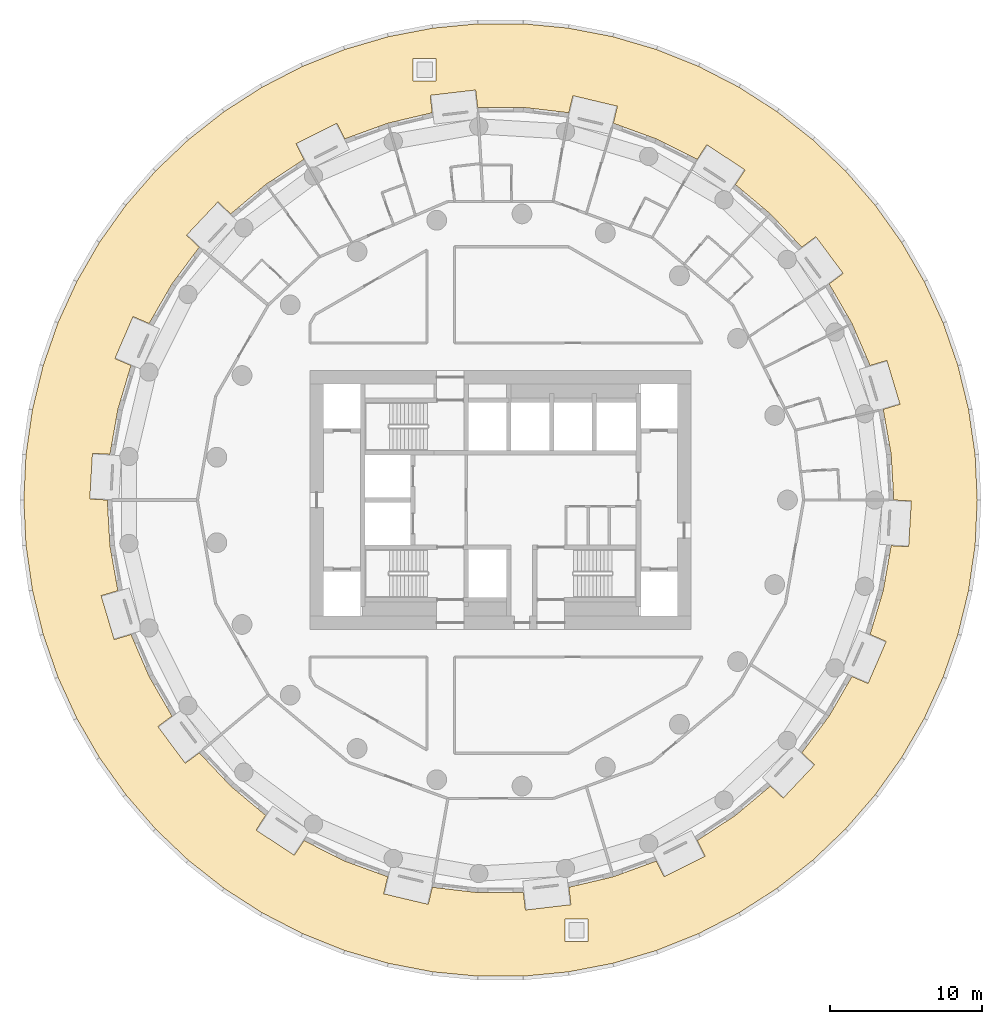
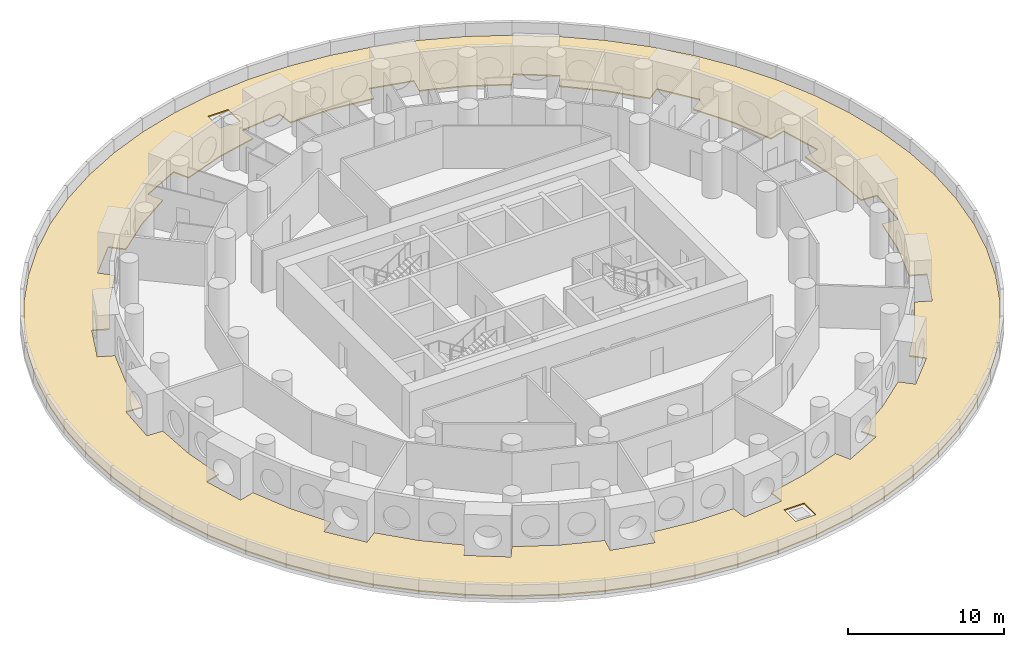
# One storey, part 12 of 13: 1 covering.
"""IFC4 building model written with IfcOpenShell, lengths in metres."""

from ifc_helpers import new_model, si_unit, direction, frame, origin, place, context, subcontext, project, spatial, polyline, outline, extrude, material, layer, layer_set, type_object, element, save


model = new_model("IFC4")

# Units and contexts
model_context = context("Model", 3, precision=1e-05, world=origin(), true_north=direction((0.0, 1.0)))
body_context = subcontext(model_context, "Body", "Model", "MODEL_VIEW")
ifc_project = project(units=[si_unit("LENGTHUNIT", "METRE"), si_unit("AREAUNIT", "SQUARE_METRE"), si_unit("VOLUMEUNIT", "CUBIC_METRE"), si_unit("PLANEANGLEUNIT", "RADIAN"), si_unit("MASSUNIT", "GRAM", prefix="KILO")], contexts=[model_context])

# Site, building, storey
site_placement = place(None, origin())
site = spatial("IfcSite", under=ifc_project, at=site_placement, CompositionType="ELEMENT")
building_placement = place(site_placement, origin())
building = spatial("IfcBuilding", under=site, at=building_placement, Name="Tracery Tower", CompositionType="ELEMENT")
storey_placement = place(building_placement, frame((0.0, 0.0, 126.0)))
storey = spatial("IfcBuildingStorey", under=building, at=storey_placement, Name="L31", CompositionType="ELEMENT", Elevation=126.0)

# Covering
ifc_material = material(Name="Roof membrane on insulation")
ifc_layer = layer(ifc_material, 0.090087890625)
ifc_layer_set = layer_set([ifc_layer], Name="Terrace roof membrane 90")
covering_type = type_object("IfcCoveringType", Name="Terrace roof membrane 90", PredefinedType="ROOFING", material=ifc_layer_set)
covering_placement = place(storey_placement, origin())
element("IfcCovering", 1, at=covering_placement, inside=storey, type_object=covering_type, Name="Terrace roof L31", PredefinedType="ROOFING", context=body_context, shape_type="SweptSolid", body=[
    extrude(outline(polyline([(31.2744140625, 0.0), (31.1328125, 2.972900390625), (30.708984375, 5.918701171875), (30.007568359375, 8.81103515625), (29.0341796875, 11.62353515625), (27.797607421875, 14.330810546875), (26.3095703125, 16.908203125), (24.583251953125, 19.33251953125), (22.63427734375, 21.581787109375), (20.480224609375, 23.635498046875), (18.140869140625, 25.475341796875), (15.63720703125, 27.08447265625), (12.99169921875, 28.447998046875), (10.228759765625, 29.55419921875), (7.373291015625, 30.392578125), (4.45068359375, 30.9560546875), (1.488037109375, 31.239013671875), (-1.488037109375, 31.239013671875), (-4.45068359375, 30.9560546875), (-7.373291015625, 30.392578125), (-10.228759765625, 29.55419921875), (-12.99169921875, 28.447998046875), (-15.63720703125, 27.08447265625), (-18.140869140625, 25.475341796875), (-20.480224609375, 23.635498046875), (-22.63427734375, 21.581787109375), (-24.583251953125, 19.33251953125), (-26.3095703125, 16.908203125), (-27.797607421875, 14.330810546875), (-29.0341796875, 11.62353515625), (-30.007568359375, 8.81103515625), (-30.708984375, 5.918701171875), (-31.1328125, 2.972900390625), (-31.2744140625, 0.0), (-31.1328125, -2.972900390625), (-30.708984375, -5.918701171875), (-30.007568359375, -8.81103515625), (-29.0341796875, -11.62353515625), (-27.797607421875, -14.330810546875), (-26.3095703125, -16.908203125), (-24.583251953125, -19.33251953125), (-22.63427734375, -21.581787109375), (-20.480224609375, -23.635498046875), (-18.140869140625, -25.475341796875), (-15.63720703125, -27.08447265625), (-12.99169921875, -28.447998046875), (-10.228759765625, -29.55419921875), (-7.373291015625, -30.392578125), (-4.45068359375, -30.9560546875), (-1.488037109375, -31.239013671875), (1.488037109375, -31.239013671875), (4.45068359375, -30.9560546875), (7.373291015625, -30.392578125), (10.228759765625, -29.55419921875), (12.99169921875, -28.447998046875), (15.63720703125, -27.08447265625), (18.140869140625, -25.475341796875), (20.480224609375, -23.635498046875), (22.63427734375, -21.581787109375), (24.583251953125, -19.33251953125), (26.3095703125, -16.908203125), (27.797607421875, -14.330810546875), (29.0341796875, -11.62353515625), (30.007568359375, -8.81103515625), (30.708984375, -5.918701171875), (31.1328125, -2.972900390625), (31.2744140625, 0.0)]), holes=[polyline([(-7.39892578125, -24.7138671875), (-10.218017578125, -23.68798828125), (-12.89892578125, -22.341552734375), (-13.53076171875, -23.30224609375), (-16.037353515625, -21.65380859375), (-15.4052734375, -20.69287109375), (-17.70361328125, -18.7646484375), (-19.76220703125, -16.58251953125), (-20.6845703125, -17.269287109375), (-22.47607421875, -14.86279296875), (-21.5537109375, -14.176025390625), (-23.0537109375, -11.577880859375), (-24.241943359375, -8.8232421875), (-25.343505859375, -9.1533203125), (-26.2041015625, -6.279296875), (-25.102294921875, -5.949462890625), (-25.623291015625, -2.994873046875), (-25.797607421875, 0.0), (-26.94580078125, 0.06689453125), (-26.771240234375, 3.061767578125), (-25.623291015625, 2.994873046875), (-25.102294921875, 5.949462890625), (-24.241943359375, 8.8232421875), (-25.2978515625, 9.27880859375), (-24.109619140625, 12.033447265625), (-23.0537109375, 11.577880859375), (-21.5537109375, 14.176025390625), (-19.76220703125, 16.58251953125), (-20.5986328125, 17.37158203125), (-18.539794921875, 19.5537109375), (-17.70361328125, 18.7646484375), (-15.4052734375, 20.69287109375), (-12.89892578125, 22.341552734375), (-13.4150390625, 23.369140625), (-10.734130859375, 24.715576171875), (-10.218017578125, 23.68798828125), (-7.39892578125, 24.7138671875), (-4.479736328125, 25.40576171875), (-4.61328125, 26.548095703125), (-1.633544921875, 26.896240234375), (-1.5, 25.754150390625), (1.5, 25.754150390625), (4.479736328125, 25.40576171875), (4.744873046875, 26.52490234375), (7.6640625, 25.8330078125), (7.39892578125, 24.7138671875), (10.218017578125, 23.68798828125), (12.89892578125, 22.341552734375), (13.53076171875, 23.30224609375), (16.037353515625, 21.65380859375), (15.4052734375, 20.69287109375), (17.70361328125, 18.7646484375), (19.76220703125, 16.58251953125), (20.6845703125, 17.269287109375), (22.47607421875, 14.86279296875), (21.5537109375, 14.176025390625), (23.0537109375, 11.577880859375), (24.241943359375, 8.8232421875), (25.343505859375, 9.1533203125), (26.2041015625, 6.279296875), (25.102294921875, 5.949462890625), (25.623291015625, 2.994873046875), (25.797607421875, 0.0), (26.94580078125, -0.06689453125), (26.771240234375, -3.061767578125), (25.623291015625, -2.994873046875), (25.102294921875, -5.949462890625), (24.241943359375, -8.8232421875), (25.2978515625, -9.27880859375), (24.109619140625, -12.033447265625), (23.0537109375, -11.577880859375), (21.5537109375, -14.176025390625), (19.76220703125, -16.58251953125), (20.5986328125, -17.37158203125), (18.539794921875, -19.5537109375), (17.70361328125, -18.7646484375), (15.4052734375, -20.69287109375), (12.89892578125, -22.341552734375), (13.4150390625, -23.369140625), (10.734130859375, -24.715576171875), (10.218017578125, -23.68798828125), (7.39892578125, -24.7138671875), (4.479736328125, -25.40576171875), (4.61328125, -26.548095703125), (1.633544921875, -26.896240234375), (1.5, -25.754150390625), (-1.5, -25.754150390625), (-4.479736328125, -25.40576171875), (-4.744873046875, -26.52490234375), (-7.6640625, -25.8330078125), (-7.39892578125, -24.7138671875)]), polyline([(-5.72705078125, 27.4755859375), (-5.72705078125, 28.9755859375), (-4.22705078125, 28.9755859375), (-4.22705078125, 27.4755859375), (-5.72705078125, 27.4755859375)]), polyline([(4.22705078125, -28.9755859375), (4.22705078125, -27.4755859375), (5.72705078125, -27.4755859375), (5.72705078125, -28.9755859375), (4.22705078125, -28.9755859375)])]), origin(), (0.0, 0.0, 1.0), 0.090087890625),
])

save(model, "model.ifc")
